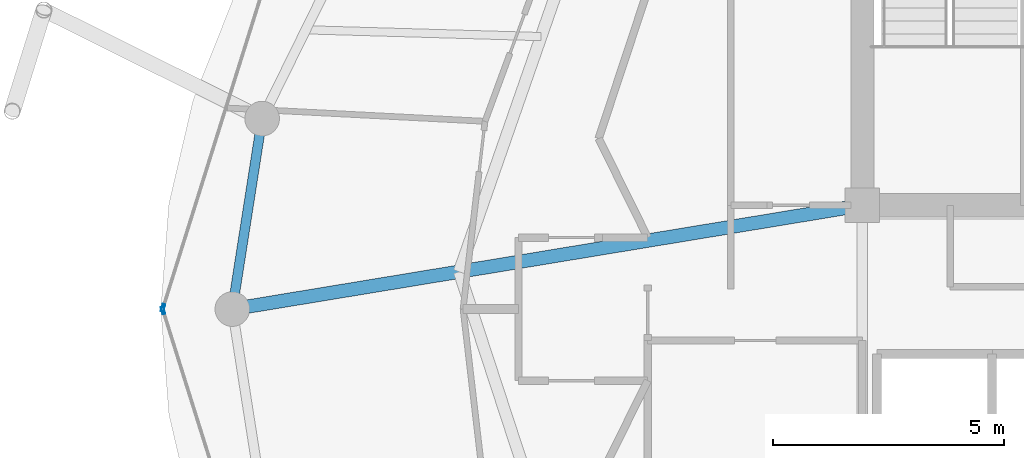
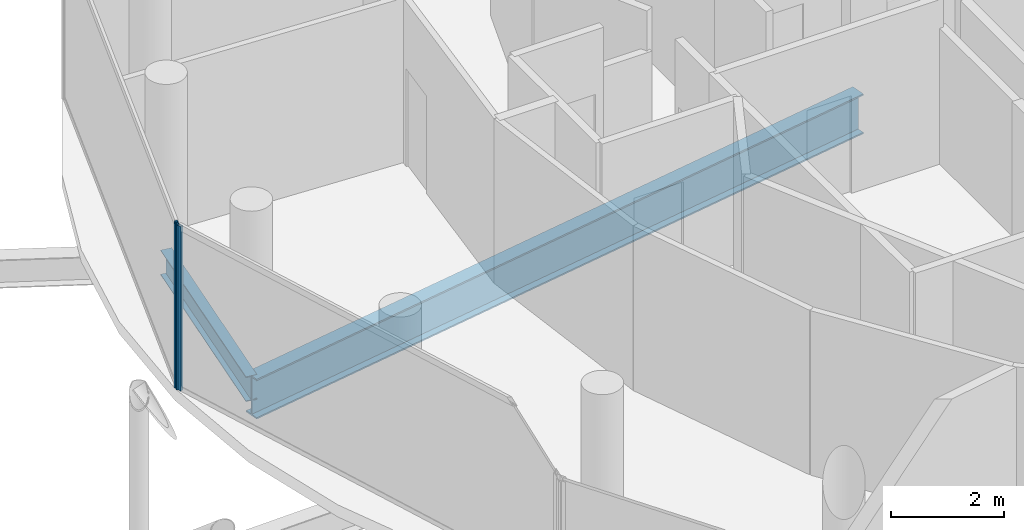
# One storey, part 6 of 24: 2 beams, 2 members, 2 elements without a shape of their own.
"""IFC4 building model written with IfcOpenShell, lengths in metres."""

from ifc_helpers import new_model, si_unit, direction, frame, origin, origin_2d, place, context, subcontext, project, spatial, hollow_rectangle, i_section, extrude, material, layer, layer_set, material_profile, profile_set, type_object, element, aggregate, save


model = new_model("IFC4")

# Units and contexts
model_context = context("Model", 3, precision=1e-05, world=origin(), true_north=direction((0.0, 1.0)))
body_context = subcontext(model_context, "Body", "Model", "MODEL_VIEW")
ifc_project = project(units=[si_unit("LENGTHUNIT", "METRE"), si_unit("AREAUNIT", "SQUARE_METRE"), si_unit("VOLUMEUNIT", "CUBIC_METRE"), si_unit("PLANEANGLEUNIT", "RADIAN"), si_unit("MASSUNIT", "GRAM", prefix="KILO")], contexts=[model_context])

# Site, building, storey
site_placement = place(None, origin())
site = spatial("IfcSite", under=ifc_project, at=site_placement, CompositionType="ELEMENT")
building_placement = place(site_placement, origin())
building = spatial("IfcBuilding", under=site, at=building_placement, Name="Nuhasar Tower", CompositionType="ELEMENT")
storey_placement = place(building_placement, frame((0.0, 0.0, 282.199951171875)))
storey = spatial("IfcBuildingStorey", under=building, at=storey_placement, Name="L70", CompositionType="ELEMENT", Elevation=282.199951171875)

# Beams
ifc_material_1 = material(Name="Steel S355", Category="steel")
ifc_material_profile_1 = material_profile(ifc_material_1, i_section(OverallWidth=0.2919921875, OverallDepth=0.85888671875, WebThickness=0.01708984375, FlangeThickness=0.031005859375, at=origin_2d()), Name="W33X169")
ifc_profile_set_1 = profile_set([ifc_material_profile_1], Name="Steel S355")
beam_type_1 = type_object("IfcBeamType", Name="BM-POD-W33X169", PredefinedType="BEAM", material=ifc_profile_set_1)
beam_1_placement = place(storey_placement, frame((33.699951171875, 29.050048828125, -0.68994140625), z_axis=(-0.986685215874, -0.162641583786, 0.0), x_axis=(0.162641583786, -0.986685215874, 0.0)))
element("IfcBeam", 1, at=beam_1_placement, inside=storey, type_object=beam_type_1, Name="L70 Radial Floor Girder 08", PredefinedType="BEAM", context=body_context, shape_type="SweptSolid", body=[
    extrude(i_section(OverallWidth=0.2919921875, OverallDepth=0.85888671875, WebThickness=0.01708984375, FlangeThickness=0.031005859375, at=origin_2d()), origin(), (0.0, 0.0, 1.0), 13.833984375),
])
ifc_material_profile_2 = material_profile(ifc_material_1, i_section(OverallWidth=0.2099609375, OverallDepth=0.537109375, WebThickness=0.010986328125, FlangeThickness=0.017333984375, at=origin_2d()), Name="W21X68")
ifc_profile_set_2 = profile_set([ifc_material_profile_2], Name="Steel S355")
beam_type_2 = type_object("IfcBeamType", Name="BM-RING-W21X68", PredefinedType="SPANDREL", material=ifc_profile_set_2)
beam_2_placement = place(storey_placement, frame((20.696044921875, 30.927978515625, -0.529052734375), z_axis=(-0.154612165232, -0.987975241776, 0.0), x_axis=(0.987975241776, -0.154612165232, 0.0)))
element("IfcBeam", 2, at=beam_2_placement, inside=storey, type_object=beam_type_2, Name="L70 Perimeter Ring Spandrel 12", PredefinedType="SPANDREL", context=body_context, shape_type="SweptSolid", body=[
    extrude(i_section(OverallWidth=0.2099609375, OverallDepth=0.537109375, WebThickness=0.010986328125, FlangeThickness=0.017333984375, at=origin_2d()), origin(), (0.0, 0.0, 1.0), 4.17822265625),
])

# Curtain wall, member
ifc_material_2 = material(Name="Aluminium 6063-T6", Category="aluminium")
ifc_layer = layer(ifc_material_2, 0.18994140625)
ifc_layer_set = layer_set([ifc_layer], Name="Aluminium 6063-T6")
curtain_wall_type = type_object("IfcCurtainWallType", Name="CW-Z4-PEN", PredefinedType="NOTDEFINED", material=ifc_layer_set)
curtain_wall_1_placement = place(storey_placement, origin())
curtain_wall_1 = element("IfcCurtainWall", 3, at=curtain_wall_1_placement, inside=storey, type_object=curtain_wall_type, Name="L70 Unitised Curtain Wall 06", PredefinedType="NOTDEFINED")
ifc_material_profile_3 = material_profile(ifc_material_2, hollow_rectangle(XDim=0.06005859375, YDim=0.1650390625, WallThickness=0.0048828125, at=origin_2d()), Name="CWM-5")
ifc_profile_set_3 = profile_set([ifc_material_profile_3], Name="Aluminium 6063-T6")
member_type = type_object("IfcMemberType", Name="CW-MUL-S5", PredefinedType="MULLION", material=ifc_profile_set_3)
member_1_placement = place(storey_placement, frame((18.549072265625, 26.82861328125, 0.0), z_axis=(0.0, 0.0, 1.0), x_axis=(0.954078526601, -0.299556614146, 0.0)))
member_1 = element("IfcMember", 4, at=member_1_placement, type_object=member_type, Name="CW-Z4 mullion 2", PredefinedType="MULLION", context=body_context, shape_type="SweptSolid", body=[
    extrude(hollow_rectangle(XDim=0.06005859375, YDim=0.1650390625, WallThickness=0.0048828125, at=origin_2d()), origin(), (0.0, 0.0, 1.0), 3.5400390625),
])
aggregate(curtain_wall_1, [member_1])

curtain_wall_2_placement = place(storey_placement, origin())
curtain_wall_2 = element("IfcCurtainWall", 5, at=curtain_wall_2_placement, inside=storey, type_object=curtain_wall_type, Name="L70 Unitised Curtain Wall 07", PredefinedType="NOTDEFINED")
member_2_placement = place(storey_placement, frame((18.549072265625, 26.771484375, 0.0), z_axis=(0.0, 0.0, 1.0), x_axis=(0.954078526601, 0.299556614146, 0.0)))
member_2 = element("IfcMember", 6, at=member_2_placement, type_object=member_type, Name="CW-Z4 mullion 1", PredefinedType="MULLION", context=body_context, shape_type="SweptSolid", body=[
    extrude(hollow_rectangle(XDim=0.06005859375, YDim=0.1650390625, WallThickness=0.0048828125, at=origin_2d()), origin(), (0.0, 0.0, 1.0), 3.5400390625),
])
aggregate(curtain_wall_2, [member_2])

save(model, "model.ifc")
